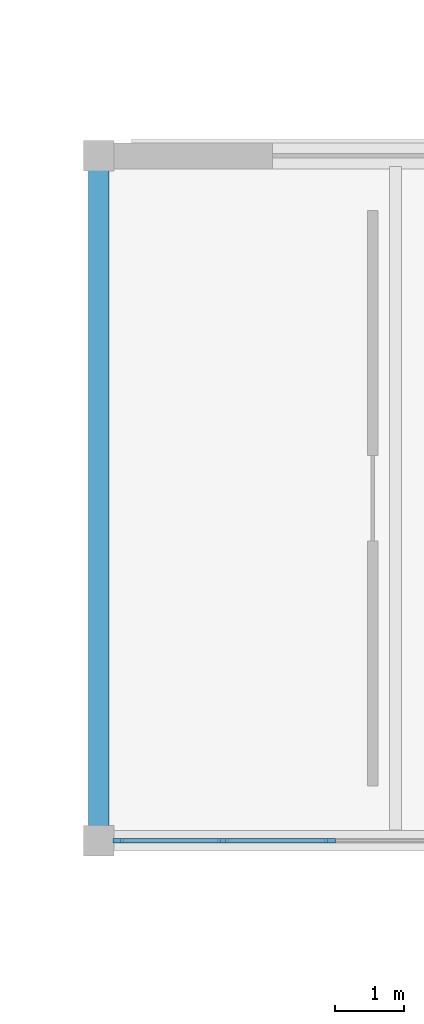
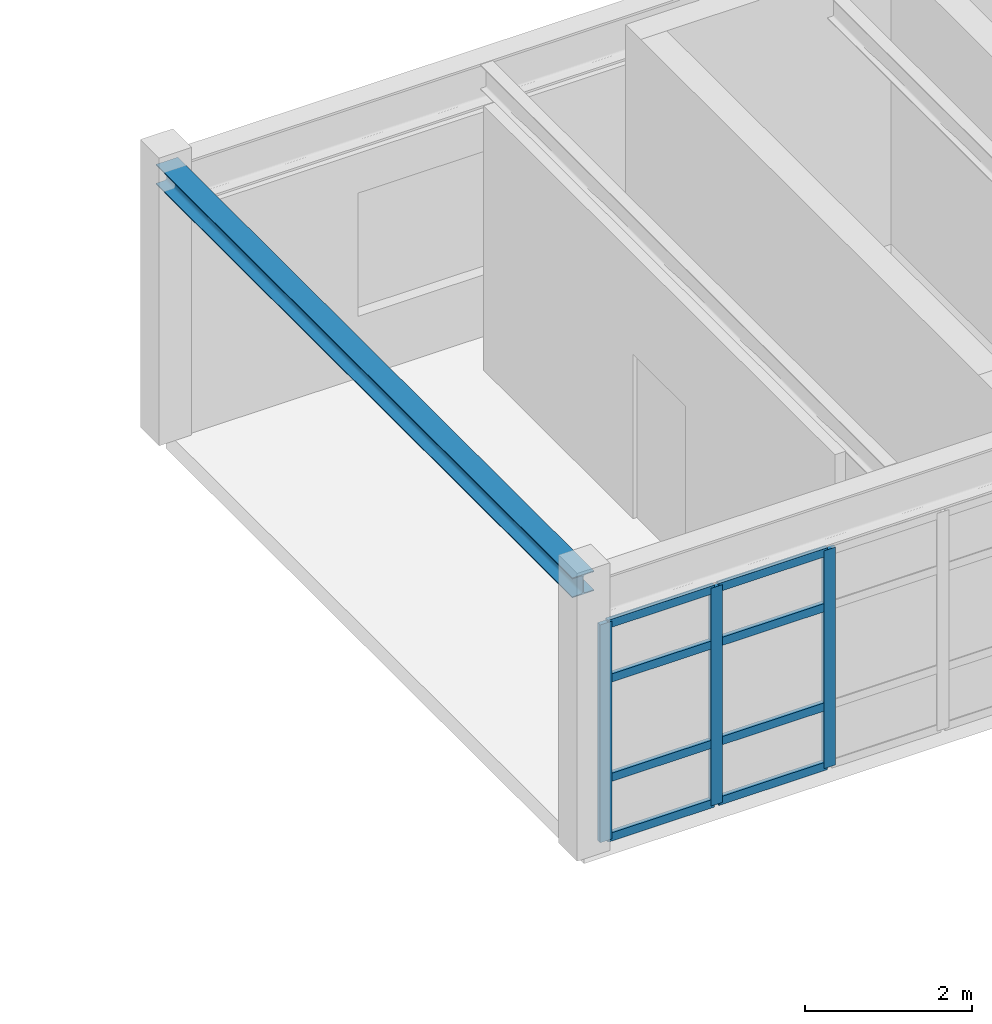
# One storey, part 40 of 122: 11 members, 1 beam, 1 element without a shape of its own.
"""IFC4 building model written with IfcOpenShell, lengths in metres."""

from ifc_helpers import new_model, si_unit, direction, frame, origin, origin_2d, place, context, subcontext, project, spatial, rectangle, i_section, extrude, material, layer, layer_set, material_profile, profile_set, type_object, element, aggregate, save


model = new_model("IFC4")

# Units and contexts
model_context = context("Model", 3, precision=1e-05, world=origin(), true_north=direction((0.0, 1.0)))
body_context = subcontext(model_context, "Body", "Model", "MODEL_VIEW")
ifc_project = project(units=[si_unit("LENGTHUNIT", "METRE"), si_unit("AREAUNIT", "SQUARE_METRE"), si_unit("VOLUMEUNIT", "CUBIC_METRE"), si_unit("PLANEANGLEUNIT", "RADIAN"), si_unit("MASSUNIT", "GRAM", prefix="KILO"), si_unit("THERMODYNAMICTEMPERATUREUNIT", "KELVIN"), si_unit("POWERUNIT", "WATT")], contexts=[model_context])

# Site, building, storey
site_placement = place(None, origin())
site = spatial("IfcSite", under=ifc_project, at=site_placement, CompositionType="ELEMENT")
building_placement = place(site_placement, origin())
building = spatial("IfcBuilding", under=site, at=building_placement, Name="Korenveer Ferry Terminal", CompositionType="ELEMENT")
storey_placement = place(building_placement, frame((0.0, 0.0, 10.199951171875)))
storey = spatial("IfcBuildingStorey", under=building, at=storey_placement, Name="L02", CompositionType="ELEMENT", Elevation=10.199951171875)

# Curtain wall, members
ifc_material_1 = material(Name="Unitised bronze-and-glass curtain wall", Category="glass")
ifc_layer = layer(ifc_material_1, 0.159912109375)
ifc_layer_set = layer_set([ifc_layer], Name="Unitised bronze-and-glass curtain wall")
curtain_wall_type = type_object("IfcCurtainWallType", Name="ENV-CW-85", PredefinedType="USERDEFINED", material=ifc_layer_set)
curtain_wall_placement = place(storey_placement, frame((123.2548828125, 20.0, 0.0)))
curtain_wall = element("IfcCurtainWall", 1, at=curtain_wall_placement, inside=storey, type_object=curtain_wall_type, Name="Lancet curtain wall CWX-L02-X123-136-Y20-20", ObjectType="UNITISED CURTAIN WALL", PredefinedType="USERDEFINED")
ifc_material_2 = material(Name="Anodised bronze aluminium", Category="aluminium")
ifc_material_profile_1 = material_profile(ifc_material_2, rectangle(XDim=0.06005859375, YDim=0.159912109375, at=origin_2d()), Name="ALU 60x160")
ifc_profile_set_1 = profile_set([ifc_material_profile_1], Name="Anodised bronze aluminium")
member_type_1 = type_object("IfcMemberType", Name="ENV-CWM-60X160", PredefinedType="MULLION", material=ifc_profile_set_1)
member_1_placement = place(storey_placement, frame((123.284912109375, 20.0, 0.0), z_axis=(0.0, 0.0, 1.0), x_axis=(0.0, 1.0, 0.0)))
member_1 = element("IfcMember", 2, at=member_1_placement, type_object=member_type_1, Name="CW-85 mullion 1", PredefinedType="MULLION", context=body_context, shape_type="SweptSolid", body=[
    extrude(rectangle(XDim=0.06005859375, YDim=0.159912109375, at=origin_2d()), origin(), (0.0, 0.0, 1.0), 3.179931640625),
])
member_2_placement = place(storey_placement, frame((124.816162109375, 20.0, 0.0), z_axis=(0.0, 0.0, 1.0), x_axis=(0.0, 1.0, 0.0)))
member_2 = element("IfcMember", 3, at=member_2_placement, type_object=member_type_1, Name="CW-85 mullion 2", PredefinedType="MULLION", context=body_context, shape_type="SweptSolid", body=[
    extrude(rectangle(XDim=0.06005859375, YDim=0.159912109375, at=origin_2d()), origin(), (0.0, 0.0, 1.0), 3.179931640625),
])
member_3_placement = place(storey_placement, frame((126.37744140625, 20.0, 0.0), z_axis=(0.0, 0.0, 1.0), x_axis=(0.0, 1.0, 0.0)))
member_3 = element("IfcMember", 4, at=member_3_placement, type_object=member_type_1, Name="CW-85 mullion 3", PredefinedType="MULLION", context=body_context, shape_type="SweptSolid", body=[
    extrude(rectangle(XDim=0.06005859375, YDim=0.159912109375, at=origin_2d()), origin(), (0.0, 0.0, 1.0), 3.179931640625),
])
ifc_material_profile_2 = material_profile(ifc_material_2, rectangle(XDim=0.06005859375, YDim=0.1201171875, at=origin_2d()), Name="ALU 60x120")
ifc_profile_set_2 = profile_set([ifc_material_profile_2], Name="Anodised bronze aluminium")
member_type_2 = type_object("IfcMemberType", Name="ENV-CWT-60X120", PredefinedType="USERDEFINED", material=ifc_profile_set_2)
member_4_placement = place(storey_placement, frame((123.31494140625, 20.0, 0.030029296875), z_axis=(1.0, 0.0, 0.0), x_axis=(0.0, 1.0, 0.0)))
member_4 = element("IfcMember", 5, at=member_4_placement, type_object=member_type_2, Name="CW-85 transom 1.1", ObjectType="TRANSOM", PredefinedType="USERDEFINED", context=body_context, shape_type="SweptSolid", body=[
    extrude(rectangle(XDim=0.06005859375, YDim=0.1201171875, at=origin_2d()), origin(), (0.0, 0.0, 1.0), 1.47119140625),
])
member_5_placement = place(storey_placement, frame((123.31494140625, 20.0, 0.900146484375), z_axis=(1.0, 0.0, 0.0), x_axis=(0.0, 1.0, 0.0)))
member_5 = element("IfcMember", 6, at=member_5_placement, type_object=member_type_2, Name="CW-85 transom 1.2", ObjectType="TRANSOM", PredefinedType="USERDEFINED", context=body_context, shape_type="SweptSolid", body=[
    extrude(rectangle(XDim=0.06005859375, YDim=0.1201171875, at=origin_2d()), origin(), (0.0, 0.0, 1.0), 1.47119140625),
])
member_6_placement = place(storey_placement, frame((123.31494140625, 20.0, 2.35009765625), z_axis=(1.0, 0.0, 0.0), x_axis=(0.0, 1.0, 0.0)))
member_6 = element("IfcMember", 7, at=member_6_placement, type_object=member_type_2, Name="CW-85 transom 1.3", ObjectType="TRANSOM", PredefinedType="USERDEFINED", context=body_context, shape_type="SweptSolid", body=[
    extrude(rectangle(XDim=0.06005859375, YDim=0.1201171875, at=origin_2d()), origin(), (0.0, 0.0, 1.0), 1.47119140625),
])
member_7_placement = place(storey_placement, frame((123.31494140625, 20.0, 3.150146484375), z_axis=(1.0, 0.0, 0.0), x_axis=(0.0, 1.0, 0.0)))
member_7 = element("IfcMember", 8, at=member_7_placement, type_object=member_type_2, Name="CW-85 transom 1.4", ObjectType="TRANSOM", PredefinedType="USERDEFINED", context=body_context, shape_type="SweptSolid", body=[
    extrude(rectangle(XDim=0.06005859375, YDim=0.1201171875, at=origin_2d()), origin(), (0.0, 0.0, 1.0), 1.47119140625),
])
member_8_placement = place(storey_placement, frame((124.84619140625, 20.0, 0.030029296875), z_axis=(1.0, 0.0, 0.0), x_axis=(0.0, 1.0, 0.0)))
member_8 = element("IfcMember", 9, at=member_8_placement, type_object=member_type_2, Name="CW-85 transom 2.1", ObjectType="TRANSOM", PredefinedType="USERDEFINED", context=body_context, shape_type="SweptSolid", body=[
    extrude(rectangle(XDim=0.06005859375, YDim=0.1201171875, at=origin_2d()), origin(), (0.0, 0.0, 1.0), 1.501220703125),
])
member_9_placement = place(storey_placement, frame((124.84619140625, 20.0, 0.900146484375), z_axis=(1.0, 0.0, 0.0), x_axis=(0.0, 1.0, 0.0)))
member_9 = element("IfcMember", 10, at=member_9_placement, type_object=member_type_2, Name="CW-85 transom 2.2", ObjectType="TRANSOM", PredefinedType="USERDEFINED", context=body_context, shape_type="SweptSolid", body=[
    extrude(rectangle(XDim=0.06005859375, YDim=0.1201171875, at=origin_2d()), origin(), (0.0, 0.0, 1.0), 1.501220703125),
])
member_10_placement = place(storey_placement, frame((124.84619140625, 20.0, 2.35009765625), z_axis=(1.0, 0.0, 0.0), x_axis=(0.0, 1.0, 0.0)))
member_10 = element("IfcMember", 11, at=member_10_placement, type_object=member_type_2, Name="CW-85 transom 2.3", ObjectType="TRANSOM", PredefinedType="USERDEFINED", context=body_context, shape_type="SweptSolid", body=[
    extrude(rectangle(XDim=0.06005859375, YDim=0.1201171875, at=origin_2d()), origin(), (0.0, 0.0, 1.0), 1.501220703125),
])
member_11_placement = place(storey_placement, frame((124.84619140625, 20.0, 3.150146484375), z_axis=(1.0, 0.0, 0.0), x_axis=(0.0, 1.0, 0.0)))
member_11 = element("IfcMember", 12, at=member_11_placement, type_object=member_type_2, Name="CW-85 transom 2.4", ObjectType="TRANSOM", PredefinedType="USERDEFINED", context=body_context, shape_type="SweptSolid", body=[
    extrude(rectangle(XDim=0.06005859375, YDim=0.1201171875, at=origin_2d()), origin(), (0.0, 0.0, 1.0), 1.501220703125),
])
aggregate(curtain_wall, [member_1, member_2, member_3, member_4, member_5, member_6, member_7, member_8, member_9, member_10, member_11])

# Beam
ifc_material_3 = material(Name="Steel S355", Category="steel")
ifc_material_profile_3 = material_profile(ifc_material_3, i_section(OverallWidth=0.300048828125, OverallDepth=0.2900390625, WebThickness=0.008544921875, FlangeThickness=0.013916015625, FilletRadius=0.027099609375, at=origin_2d()), Name="HEA 300")
ifc_profile_set_3 = profile_set([ifc_material_profile_3], Name="Steel S355")
beam_type = type_object("IfcBeamType", Name="STR-BM-HEA300", PredefinedType="BEAM", material=ifc_profile_set_3)
beam_placement = place(storey_placement, frame((123.0, 20.02001953125, 3.81494140625), z_axis=(0.0, 1.0, 0.0), x_axis=(-1.0, 0.0, 0.0)))
element("IfcBeam", 13, at=beam_placement, inside=storey, type_object=beam_type, Name="Primary Y girder BMY-L03-X123-Y20-30", PredefinedType="BEAM", context=body_context, shape_type="SweptSolid", body=[
    extrude(i_section(OverallWidth=0.300048828125, OverallDepth=0.2900390625, WebThickness=0.008544921875, FlangeThickness=0.013916015625, FilletRadius=0.027099609375, at=origin_2d()), origin(), (0.0, 0.0, 1.0), 9.9599609375),
])

save(model, "model.ifc")
